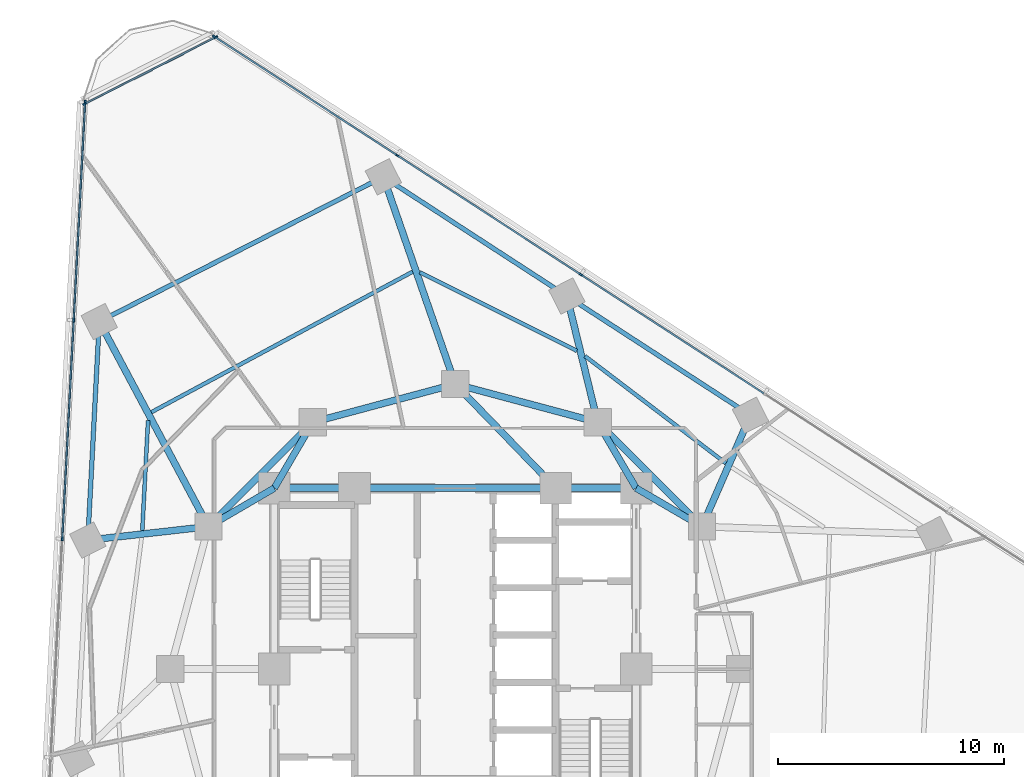
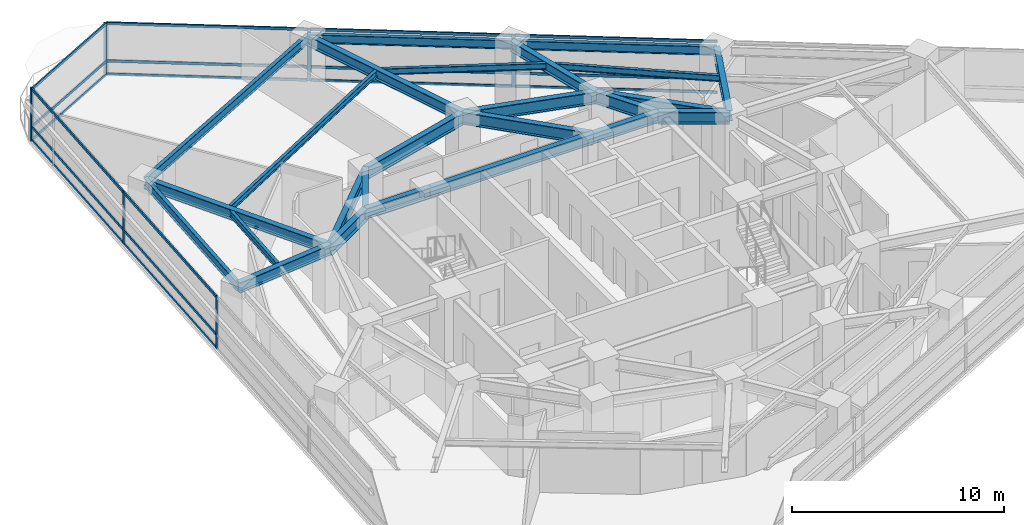
# One storey, part 5 of 14: 26 members, 25 beams, 3 elements without a shape of their own.
"""IFC4 building model written with IfcOpenShell, lengths in metres."""

from ifc_helpers import new_model, si_unit, direction, frame, origin, origin_2d, place, context, subcontext, project, spatial, rectangle, i_section, extrude, material, layer, layer_set, material_profile, profile_set, type_object, element, aggregate, save


model = new_model("IFC4")

# Units and contexts
model_context = context("Model", 3, precision=1e-05, world=origin(), true_north=direction((0.0, 1.0)))
body_context = subcontext(model_context, "Body", "Model", "MODEL_VIEW")
ifc_project = project(units=[si_unit("LENGTHUNIT", "METRE"), si_unit("AREAUNIT", "SQUARE_METRE"), si_unit("VOLUMEUNIT", "CUBIC_METRE"), si_unit("PLANEANGLEUNIT", "RADIAN"), si_unit("MASSUNIT", "GRAM", prefix="KILO")], contexts=[model_context])

# Site, building, storey
site_placement = place(None, origin())
site = spatial("IfcSite", under=ifc_project, at=site_placement, CompositionType="ELEMENT")
building_placement = place(site_placement, origin())
building = spatial("IfcBuilding", under=site, at=building_placement, Name="Terralouvre Media Tower", CompositionType="ELEMENT")
storey_placement = place(building_placement, frame((0.0, 0.0, 123.60009765625)))
storey = spatial("IfcBuildingStorey", under=building, at=storey_placement, Name="L31", CompositionType="ELEMENT", Elevation=123.60009765625)

# Beams
ifc_material_1 = material(Name="Structural steel S355J2", Category="steel")
ifc_material_profile_1 = material_profile(ifc_material_1, i_section(OverallWidth=0.169921875, OverallDepth=0.360107421875, WebThickness=0.008056640625, FlangeThickness=0.0126953125, at=origin_2d()), Name="IPE 360")
ifc_profile_set_1 = profile_set([ifc_material_profile_1], Name="Structural steel S355J2")
beam_type_1 = type_object("IfcBeamType", Name="Composite Floor Joist J-IPE360 (IPE 360)", PredefinedType="JOIST", material=ifc_profile_set_1)
beam_1_placement = place(storey_placement, frame((11.970703125, 9.098388671875, 3.31982421875), z_axis=(-0.795913950382, 0.605409765024, 0.0), x_axis=(-0.605409765024, -0.795913950382, 0.0)))
element("IfcBeam", 1, at=beam_1_placement, inside=storey, type_object=beam_type_1, Name="L31 Framing Beam JT-L31-08", PredefinedType="JOIST", context=body_context, shape_type="SweptSolid", body=[
    extrude(i_section(OverallWidth=0.169921875, OverallDepth=0.360107421875, WebThickness=0.008056640625, FlangeThickness=0.0126953125, at=origin_2d()), origin(), (0.0, 0.0, 1.0), 7.8291015625),
])
beam_2_placement = place(storey_placement, frame((5.37744140625, 14.068603515625, 3.31982421875), z_axis=(-0.893973577097, 0.448119675368, 0.0), x_axis=(-0.448119675368, -0.893973577097, 0.0)))
element("IfcBeam", 2, at=beam_2_placement, inside=storey, type_object=beam_type_1, Name="L31 Framing Beam JT-L31-09", PredefinedType="JOIST", context=body_context, shape_type="SweptSolid", body=[
    extrude(i_section(OverallWidth=0.169921875, OverallDepth=0.360107421875, WebThickness=0.008056640625, FlangeThickness=0.0126953125, at=origin_2d()), origin(), (0.0, 0.0, 1.0), 7.758056640625),
])
beam_3_placement = place(storey_placement, frame((-1.880615234375, 17.569580078125, 3.31982421875), z_axis=(-0.880744642144, -0.473591464592, 0.0), x_axis=(0.473591464592, -0.880744642144, 0.0)))
element("IfcBeam", 3, at=beam_3_placement, inside=storey, type_object=beam_type_1, Name="L31 Framing Beam JT-L31-10", PredefinedType="JOIST", context=body_context, shape_type="SweptSolid", body=[
    extrude(i_section(OverallWidth=0.169921875, OverallDepth=0.360107421875, WebThickness=0.008056640625, FlangeThickness=0.0126953125, at=origin_2d()), origin(), (0.0, 0.0, 1.0), 13.11865234375),
])
beam_4_placement = place(storey_placement, frame((-13.58203125, 10.9970703125, 3.31982421875), z_axis=(-0.052377831518, -0.998627339284, 0.0), x_axis=(0.998627339284, -0.052377831518, 0.0)))
element("IfcBeam", 4, at=beam_4_placement, inside=storey, type_object=beam_type_1, Name="L31 Framing Beam JT-L31-11", PredefinedType="JOIST", context=body_context, shape_type="SweptSolid", body=[
    extrude(i_section(OverallWidth=0.169921875, OverallDepth=0.360107421875, WebThickness=0.008056640625, FlangeThickness=0.0126953125, at=origin_2d()), origin(), (0.0, 0.0, 1.0), 4.884765625),
])

# Curtain wall, members
ifc_material_2 = material(Name="Low-iron laminated double glazing with solar-control coating", Category="glass")
ifc_layer_1 = layer(ifc_material_2, 0.1650390625, Name="Production Studio Tower Curtain Wall CW-03")
ifc_layer_set_1 = layer_set([ifc_layer_1], Name="Low-iron laminated double glazing with solar-control coating")
curtain_wall_type_1 = type_object("IfcCurtainWallType", Name="Production Studio Tower Curtain Wall CW-03", PredefinedType="NOTDEFINED", material=ifc_layer_set_1)
curtain_wall_1_placement = place(storey_placement, origin())
curtain_wall_1 = element("IfcCurtainWall", 5, at=curtain_wall_1_placement, inside=storey, type_object=curtain_wall_type_1, Name="L31 Facade Curtain Wall F1", PredefinedType="NOTDEFINED")
ifc_material_3 = material(Name="Anodised extruded aluminium 6063-T6", Category="aluminium")
ifc_material_profile_2 = material_profile(ifc_material_3, rectangle(XDim=0.074951171875, YDim=0.14990234375, at=origin_2d()), Name="ALU 75x150")
ifc_profile_set_2 = profile_set([ifc_material_profile_2], Name="Anodised extruded aluminium 6063-T6")
member_type_1 = type_object("IfcMemberType", Name="Curtain-Wall Horizontal Transom TR-150", PredefinedType="USERDEFINED", material=ifc_profile_set_2)
member_1_placement = place(storey_placement, frame((13.6416015625, 12.1884765625, 0.037353515625), z_axis=(-0.838672931076, 0.544635396095, 0.0), x_axis=(-0.544635396095, -0.838672931076, 0.0)))
member_1 = element("IfcMember", 6, at=member_1_placement, type_object=member_type_1, Name="CW-03 transom 3.1", ObjectType="TRANSOM", PredefinedType="USERDEFINED", context=body_context, shape_type="SweptSolid", body=[
    extrude(rectangle(XDim=0.074951171875, YDim=0.14990234375, at=origin_2d()), origin(), (0.0, 0.0, 1.0), 9.60498046875),
])
member_2_placement = place(storey_placement, frame((13.6416015625, 12.1884765625, 0.7998046875), z_axis=(-0.838672931076, 0.544635396095, 0.0), x_axis=(-0.544635396095, -0.838672931076, 0.0)))
member_2 = element("IfcMember", 7, at=member_2_placement, type_object=member_type_1, Name="CW-03 transom 3.2", ObjectType="TRANSOM", PredefinedType="USERDEFINED", context=body_context, shape_type="SweptSolid", body=[
    extrude(rectangle(XDim=0.074951171875, YDim=0.14990234375, at=origin_2d()), origin(), (0.0, 0.0, 1.0), 9.60498046875),
])
member_3_placement = place(storey_placement, frame((13.6416015625, 12.1884765625, 2.96240234375), z_axis=(-0.838672931076, 0.544635396095, 0.0), x_axis=(-0.544635396095, -0.838672931076, 0.0)))
member_3 = element("IfcMember", 8, at=member_3_placement, type_object=member_type_1, Name="CW-03 transom 3.3", ObjectType="TRANSOM", PredefinedType="USERDEFINED", context=body_context, shape_type="SweptSolid", body=[
    extrude(rectangle(XDim=0.074951171875, YDim=0.14990234375, at=origin_2d()), origin(), (0.0, 0.0, 1.0), 9.60498046875),
])
member_4_placement = place(storey_placement, frame((5.523193359375, 17.460693359375, 0.037353515625), z_axis=(-0.838672931076, 0.544635396095, 0.0), x_axis=(-0.544635396095, -0.838672931076, 0.0)))
member_4 = element("IfcMember", 9, at=member_4_placement, type_object=member_type_1, Name="CW-03 transom 4.1", ObjectType="TRANSOM", PredefinedType="USERDEFINED", context=body_context, shape_type="SweptSolid", body=[
    extrude(rectangle(XDim=0.074951171875, YDim=0.14990234375, at=origin_2d()), origin(), (0.0, 0.0, 1.0), 9.60498046875),
])
member_5_placement = place(storey_placement, frame((5.523193359375, 17.460693359375, 0.7998046875), z_axis=(-0.838672931076, 0.544635396095, 0.0), x_axis=(-0.544635396095, -0.838672931076, 0.0)))
member_5 = element("IfcMember", 10, at=member_5_placement, type_object=member_type_1, Name="CW-03 transom 4.2", ObjectType="TRANSOM", PredefinedType="USERDEFINED", context=body_context, shape_type="SweptSolid", body=[
    extrude(rectangle(XDim=0.074951171875, YDim=0.14990234375, at=origin_2d()), origin(), (0.0, 0.0, 1.0), 9.60498046875),
])
member_6_placement = place(storey_placement, frame((5.523193359375, 17.460693359375, 2.96240234375), z_axis=(-0.838672931076, 0.544635396095, 0.0), x_axis=(-0.544635396095, -0.838672931076, 0.0)))
member_6 = element("IfcMember", 11, at=member_6_placement, type_object=member_type_1, Name="CW-03 transom 4.3", ObjectType="TRANSOM", PredefinedType="USERDEFINED", context=body_context, shape_type="SweptSolid", body=[
    extrude(rectangle(XDim=0.074951171875, YDim=0.14990234375, at=origin_2d()), origin(), (0.0, 0.0, 1.0), 9.60498046875),
])
member_7_placement = place(storey_placement, frame((-2.594970703125, 22.732666015625, 0.037353515625), z_axis=(-0.838671492993, 0.544637610565, 0.0), x_axis=(-0.544637610565, -0.838671492993, 0.0)))
member_7 = element("IfcMember", 12, at=member_7_placement, type_object=member_type_1, Name="CW-03 transom 5.1", ObjectType="TRANSOM", PredefinedType="USERDEFINED", context=body_context, shape_type="SweptSolid", body=[
    extrude(rectangle(XDim=0.074951171875, YDim=0.14990234375, at=origin_2d()), origin(), (0.0, 0.0, 1.0), 9.567626953125),
])
member_8_placement = place(storey_placement, frame((-2.594970703125, 22.732666015625, 0.7998046875), z_axis=(-0.838671492993, 0.544637610565, 0.0), x_axis=(-0.544637610565, -0.838671492993, 0.0)))
member_8 = element("IfcMember", 13, at=member_8_placement, type_object=member_type_1, Name="CW-03 transom 5.2", ObjectType="TRANSOM", PredefinedType="USERDEFINED", context=body_context, shape_type="SweptSolid", body=[
    extrude(rectangle(XDim=0.074951171875, YDim=0.14990234375, at=origin_2d()), origin(), (0.0, 0.0, 1.0), 9.567626953125),
])
member_9_placement = place(storey_placement, frame((-2.594970703125, 22.732666015625, 2.96240234375), z_axis=(-0.838671492993, 0.544637610565, 0.0), x_axis=(-0.544637610565, -0.838671492993, 0.0)))
member_9 = element("IfcMember", 14, at=member_9_placement, type_object=member_type_1, Name="CW-03 transom 5.3", ObjectType="TRANSOM", PredefinedType="USERDEFINED", context=body_context, shape_type="SweptSolid", body=[
    extrude(rectangle(XDim=0.074951171875, YDim=0.14990234375, at=origin_2d()), origin(), (0.0, 0.0, 1.0), 9.567626953125),
])

curtain_wall_2_placement = place(storey_placement, origin())
curtain_wall_2 = element("IfcCurtainWall", 15, at=curtain_wall_2_placement, inside=storey, type_object=curtain_wall_type_1, Name="L31 Facade Curtain Wall F2", PredefinedType="NOTDEFINED")
member_10_placement = place(storey_placement, frame((-16.364990234375, 25.015869140625, 0.037353515625), z_axis=(-0.052336504837, -0.998629506004, 0.0), x_axis=(0.998629506004, -0.052336504837, 0.0)))
member_10 = element("IfcMember", 16, at=member_10_placement, type_object=member_type_1, Name="CW-03 transom 1.1", ObjectType="TRANSOM", PredefinedType="USERDEFINED", context=body_context, shape_type="SweptSolid", body=[
    extrude(rectangle(XDim=0.074951171875, YDim=0.14990234375, at=origin_2d()), origin(), (0.0, 0.0, 1.0), 9.567626953125),
])
member_11_placement = place(storey_placement, frame((-16.364990234375, 25.015869140625, 0.7998046875), z_axis=(-0.052336504837, -0.998629506004, 0.0), x_axis=(0.998629506004, -0.052336504837, 0.0)))
member_11 = element("IfcMember", 17, at=member_11_placement, type_object=member_type_1, Name="CW-03 transom 1.2", ObjectType="TRANSOM", PredefinedType="USERDEFINED", context=body_context, shape_type="SweptSolid", body=[
    extrude(rectangle(XDim=0.074951171875, YDim=0.14990234375, at=origin_2d()), origin(), (0.0, 0.0, 1.0), 9.567626953125),
])
member_12_placement = place(storey_placement, frame((-16.364990234375, 25.015869140625, 2.96240234375), z_axis=(-0.052336504837, -0.998629506004, 0.0), x_axis=(0.998629506004, -0.052336504837, 0.0)))
member_12 = element("IfcMember", 18, at=member_12_placement, type_object=member_type_1, Name="CW-03 transom 1.3", ObjectType="TRANSOM", PredefinedType="USERDEFINED", context=body_context, shape_type="SweptSolid", body=[
    extrude(rectangle(XDim=0.074951171875, YDim=0.14990234375, at=origin_2d()), origin(), (0.0, 0.0, 1.0), 9.567626953125),
])
member_13_placement = place(storey_placement, frame((-16.86962890625, 15.386474609375, 0.037353515625), z_axis=(-0.052336036535, -0.998629530547, 0.0), x_axis=(0.998629530547, -0.052336036535, 0.0)))
member_13 = element("IfcMember", 19, at=member_13_placement, type_object=member_type_1, Name="CW-03 transom 2.1", ObjectType="TRANSOM", PredefinedType="USERDEFINED", context=body_context, shape_type="SweptSolid", body=[
    extrude(rectangle(XDim=0.074951171875, YDim=0.14990234375, at=origin_2d()), origin(), (0.0, 0.0, 1.0), 9.60498046875),
])
member_14_placement = place(storey_placement, frame((-16.86962890625, 15.386474609375, 0.7998046875), z_axis=(-0.052336036535, -0.998629530547, 0.0), x_axis=(0.998629530547, -0.052336036535, 0.0)))
member_14 = element("IfcMember", 20, at=member_14_placement, type_object=member_type_1, Name="CW-03 transom 2.2", ObjectType="TRANSOM", PredefinedType="USERDEFINED", context=body_context, shape_type="SweptSolid", body=[
    extrude(rectangle(XDim=0.074951171875, YDim=0.14990234375, at=origin_2d()), origin(), (0.0, 0.0, 1.0), 9.60498046875),
])
member_15_placement = place(storey_placement, frame((-16.86962890625, 15.386474609375, 2.96240234375), z_axis=(-0.052336036535, -0.998629530547, 0.0), x_axis=(0.998629530547, -0.052336036535, 0.0)))
member_15 = element("IfcMember", 21, at=member_15_placement, type_object=member_type_1, Name="CW-03 transom 2.3", ObjectType="TRANSOM", PredefinedType="USERDEFINED", context=body_context, shape_type="SweptSolid", body=[
    extrude(rectangle(XDim=0.074951171875, YDim=0.14990234375, at=origin_2d()), origin(), (0.0, 0.0, 1.0), 9.60498046875),
])

ifc_material_4 = material(Name="Low-iron laminated double glazing with solar-control coating", Category="glass")
ifc_layer_2 = layer(ifc_material_4, 0.1650390625, Name="Rounded Wind-Corner Curved Glazing CW-04")
ifc_layer_set_2 = layer_set([ifc_layer_2], Name="Low-iron laminated double glazing with solar-control coating")
curtain_wall_type_2 = type_object("IfcCurtainWallType", Name="Rounded Wind-Corner Curved Glazing CW-04", PredefinedType="NOTDEFINED", material=ifc_layer_set_2)
curtain_wall_3_placement = place(storey_placement, origin())
curtain_wall_3 = element("IfcCurtainWall", 22, at=curtain_wall_3_placement, inside=storey, type_object=curtain_wall_type_2, Name="L31 Rounded Wind-Corner Curtain Wall C2", PredefinedType="NOTDEFINED")
member_16_placement = place(storey_placement, frame((-10.619873046875, 27.92626953125, 0.037353515625), z_axis=(-0.891007919555, -0.453987761167, 0.0), x_axis=(0.453987761167, -0.891007919555, 0.0)))
member_16 = element("IfcMember", 23, at=member_16_placement, type_object=member_type_1, Name="CW-04 transom 1.1", ObjectType="TRANSOM", PredefinedType="USERDEFINED", context=body_context, shape_type="SweptSolid", body=[
    extrude(rectangle(XDim=0.074951171875, YDim=0.14990234375, at=origin_2d()), origin(), (0.0, 0.0, 1.0), 6.431640625),
])
member_17_placement = place(storey_placement, frame((-10.619873046875, 27.92626953125, 0.7998046875), z_axis=(-0.891007919555, -0.453987761167, 0.0), x_axis=(0.453987761167, -0.891007919555, 0.0)))
member_17 = element("IfcMember", 24, at=member_17_placement, type_object=member_type_1, Name="CW-04 transom 1.2", ObjectType="TRANSOM", PredefinedType="USERDEFINED", context=body_context, shape_type="SweptSolid", body=[
    extrude(rectangle(XDim=0.074951171875, YDim=0.14990234375, at=origin_2d()), origin(), (0.0, 0.0, 1.0), 6.431640625),
])
member_18_placement = place(storey_placement, frame((-10.619873046875, 27.92626953125, 2.96240234375), z_axis=(-0.891007919555, -0.453987761167, 0.0), x_axis=(0.453987761167, -0.891007919555, 0.0)))
member_18 = element("IfcMember", 25, at=member_18_placement, type_object=member_type_1, Name="CW-04 transom 1.3", ObjectType="TRANSOM", PredefinedType="USERDEFINED", context=body_context, shape_type="SweptSolid", body=[
    extrude(rectangle(XDim=0.074951171875, YDim=0.14990234375, at=origin_2d()), origin(), (0.0, 0.0, 1.0), 6.431640625),
])

# Member
ifc_material_5 = material(Name="Anodised extruded aluminium 6063-T6", Category="aluminium")
ifc_material_profile_3 = material_profile(ifc_material_5, rectangle(XDim=0.074951171875, YDim=0.179931640625, at=origin_2d()), Name="ALU 75x180")
ifc_profile_set_3 = profile_set([ifc_material_profile_3], Name="Anodised extruded aluminium 6063-T6")
member_type_2 = type_object("IfcMemberType", Name="Curtain-Wall Vertical Mullion ML-180", PredefinedType="MULLION", material=ifc_profile_set_3)
member_19_placement = place(storey_placement, frame((5.5546875, 17.440185546875, 0.0), z_axis=(0.0, 0.0, 1.0), x_axis=(-0.544639002681, -0.838670588944, 0.0)))
member_19 = element("IfcMember", 26, at=member_19_placement, type_object=member_type_2, Name="CW-03 mullion 4", PredefinedType="MULLION", context=body_context, shape_type="SweptSolid", body=[
    extrude(rectangle(XDim=0.074951171875, YDim=0.179931640625, at=origin_2d()), origin(), (0.0, 0.0, 1.0), 3.0),
])

member_20_placement = place(storey_placement, frame((-2.5634765625, 22.712158203125, 0.0), z_axis=(0.0, 0.0, 1.0), x_axis=(-0.544639002681, -0.838670588944, 0.0)))
member_20 = element("IfcMember", 27, at=member_20_placement, type_object=member_type_2, Name="CW-03 mullion 5", PredefinedType="MULLION", context=body_context, shape_type="SweptSolid", body=[
    extrude(rectangle(XDim=0.074951171875, YDim=0.179931640625, at=origin_2d()), origin(), (0.0, 0.0, 1.0), 3.0),
])

member_21_placement = place(storey_placement, frame((-10.650390625, 27.9638671875, 0.0), z_axis=(0.0, 0.0, 1.0), x_axis=(-0.544639002681, -0.838670588944, 0.0)))
member_21 = element("IfcMember", 28, at=member_21_placement, type_object=member_type_2, Name="CW-03 mullion 6", PredefinedType="MULLION", context=body_context, shape_type="SweptSolid", body=[
    extrude(rectangle(XDim=0.074951171875, YDim=0.179931640625, at=origin_2d()), origin(), (0.0, 0.0, 1.0), 3.0),
])

aggregate(curtain_wall_1, [member_19, member_20, member_21, member_1, member_2, member_3, member_4, member_5, member_6, member_7, member_8, member_9])

member_22_placement = place(storey_placement, frame((-16.363037109375, 25.05322265625, 0.0), z_axis=(0.0, 0.0, 1.0), x_axis=(0.998629535089, -0.052335949864, 0.0)))
member_22 = element("IfcMember", 29, at=member_22_placement, type_object=member_type_2, Name="CW-03 mullion 1", PredefinedType="MULLION", context=body_context, shape_type="SweptSolid", body=[
    extrude(rectangle(XDim=0.074951171875, YDim=0.179931640625, at=origin_2d()), origin(), (0.0, 0.0, 1.0), 3.0),
])

member_23_placement = place(storey_placement, frame((-16.86767578125, 15.423828125, 0.0), z_axis=(0.0, 0.0, 1.0), x_axis=(0.998629535089, -0.052335949864, 0.0)))
member_23 = element("IfcMember", 30, at=member_23_placement, type_object=member_type_2, Name="CW-03 mullion 2", PredefinedType="MULLION", context=body_context, shape_type="SweptSolid", body=[
    extrude(rectangle(XDim=0.074951171875, YDim=0.179931640625, at=origin_2d()), origin(), (0.0, 0.0, 1.0), 3.0),
])

member_24_placement = place(storey_placement, frame((-17.374267578125, 5.757080078125, 0.0), z_axis=(0.0, 0.0, 1.0), x_axis=(0.998629535089, -0.052335949864, 0.0)))
member_24 = element("IfcMember", 31, at=member_24_placement, type_object=member_type_2, Name="CW-03 mullion 3", PredefinedType="MULLION", context=body_context, shape_type="SweptSolid", body=[
    extrude(rectangle(XDim=0.074951171875, YDim=0.179931640625, at=origin_2d()), origin(), (0.0, 0.0, 1.0), 3.0),
])

aggregate(curtain_wall_2, [member_22, member_23, member_24, member_10, member_11, member_12, member_13, member_14, member_15])

member_25_placement = place(storey_placement, frame((-10.58642578125, 27.943359375, 0.0), z_axis=(0.0, 0.0, 1.0), x_axis=(0.45399035059, -0.891006600184, 0.0)))
member_25 = element("IfcMember", 32, at=member_25_placement, type_object=member_type_2, Name="CW-04 mullion 1", PredefinedType="MULLION", context=body_context, shape_type="SweptSolid", body=[
    extrude(rectangle(XDim=0.074951171875, YDim=0.179931640625, at=origin_2d()), origin(), (0.0, 0.0, 1.0), 3.0),
])

member_26_placement = place(storey_placement, frame((-16.384033203125, 24.9892578125, 0.0), z_axis=(0.0, 0.0, 1.0), x_axis=(0.45399035059, -0.891006600184, 0.0)))
member_26 = element("IfcMember", 33, at=member_26_placement, type_object=member_type_2, Name="CW-04 mullion 2", PredefinedType="MULLION", context=body_context, shape_type="SweptSolid", body=[
    extrude(rectangle(XDim=0.074951171875, YDim=0.179931640625, at=origin_2d()), origin(), (0.0, 0.0, 1.0), 3.0),
])

aggregate(curtain_wall_3, [member_25, member_26, member_16, member_17, member_18])

# Beams
ifc_material_6 = material(Name="Structural steel S355J2", Category="steel")
ifc_material_profile_4 = material_profile(ifc_material_6, i_section(OverallWidth=0.199951171875, OverallDepth=0.5, WebThickness=0.01025390625, FlangeThickness=0.01611328125, at=origin_2d()), Name="IPE 500")
ifc_profile_set_4 = profile_set([ifc_material_profile_4], Name="Structural steel S355J2")
beam_type_2 = type_object("IfcBeamType", Name="Perimeter Spandrel Beam SPB-500 (IPE 500)", PredefinedType="SPANDREL", material=ifc_profile_set_4)
for number, where, z_axis, x_axis, name in (
    (34, (13.0576171875, 11.220458984375, 3.25), (-0.838679216118, 0.544625717765, 0.0), (-0.544625717765, -0.838679216118, 0.0), "L31 Framing Beam BM-L31-PR08"),
    (35, (4.939208984375, 16.492431640625, 3.25), (-0.838660214263, 0.544654977956, 0.0), (-0.544654977956, -0.838660214263, 0.0), "L31 Framing Beam BM-L31-PR09"),
):
    element("IfcBeam", number, at=place(storey_placement, frame(where, z_axis=z_axis, x_axis=x_axis)), inside=storey, type_object=beam_type_2, Name=name, PredefinedType="SPANDREL", context=body_context, shape_type="SweptSolid", body=[
        extrude(i_section(OverallWidth=0.199951171875, OverallDepth=0.5, WebThickness=0.01025390625, FlangeThickness=0.01611328125, at=origin_2d()), origin(), (0.0, 0.0, 1.0), 9.679931640625),
    ])
beam_5_placement = place(storey_placement, frame((-3.178955078125, 21.7646484375, 3.25), z_axis=(-0.891003412269, -0.453996607173, 0.0), x_axis=(0.453996607173, -0.891003412269, 0.0)))
element("IfcBeam", 36, at=beam_5_placement, inside=storey, type_object=beam_type_2, Name="L31 Framing Beam BM-L31-PR10", PredefinedType="SPANDREL", context=body_context, shape_type="SweptSolid", body=[
    extrude(i_section(OverallWidth=0.199951171875, OverallDepth=0.5, WebThickness=0.01025390625, FlangeThickness=0.01611328125, at=origin_2d()), origin(), (0.0, 0.0, 1.0), 14.096923828125),
])
beam_6_placement = place(storey_placement, frame((-15.7392578125, 15.36474609375, 3.25), z_axis=(-0.052333792648, -0.998629648141, 0.0), x_axis=(0.998629648141, -0.052333792648, 0.0)))
element("IfcBeam", 37, at=beam_6_placement, inside=storey, type_object=beam_type_2, Name="L31 Framing Beam BM-L31-PR11", PredefinedType="SPANDREL", context=body_context, shape_type="SweptSolid", body=[
    extrude(i_section(OverallWidth=0.199951171875, OverallDepth=0.5, WebThickness=0.01025390625, FlangeThickness=0.01611328125, at=origin_2d()), origin(), (0.0, 0.0, 1.0), 9.679931640625),
])
ifc_material_7 = material(Name="Structural steel S460M", Category="steel")
ifc_material_profile_5 = material_profile(ifc_material_7, i_section(OverallWidth=0.300048828125, OverallDepth=0.60009765625, WebThickness=0.015380859375, FlangeThickness=0.030029296875, at=origin_2d()), Name="HEB 600")
ifc_profile_set_5 = profile_set([ifc_material_profile_5], Name="Structural steel S460M")
beam_type_3 = type_object("IfcBeamType", Name="Primary Floor Girder B-HEB600 (HEB 600)", PredefinedType="BEAM", material=ifc_profile_set_5)
beam_7_placement = place(storey_placement, frame((8.0, 8.0, 3.199951171875), z_axis=(-1.0, 0.0, 0.0), x_axis=(0.0, -1.0, 0.0)))
element("IfcBeam", 38, at=beam_7_placement, inside=storey, type_object=beam_type_3, Name="L31 Framing Beam BM-L31-CPR06", PredefinedType="BEAM", context=body_context, shape_type="SweptSolid", body=[
    extrude(i_section(OverallWidth=0.300048828125, OverallDepth=0.60009765625, WebThickness=0.015380859375, FlangeThickness=0.030029296875, at=origin_2d()), origin(), (0.0, 0.0, 1.0), 3.550048828125),
])
beam_8_placement = place(storey_placement, frame((4.449951171875, 8.0, 3.199951171875), z_axis=(-1.0, 0.0, 0.0), x_axis=(0.0, -1.0, 0.0)))
element("IfcBeam", 39, at=beam_8_placement, inside=storey, type_object=beam_type_3, Name="L31 Framing Beam BM-L31-CPR07", PredefinedType="BEAM", context=body_context, shape_type="SweptSolid", body=[
    extrude(i_section(OverallWidth=0.300048828125, OverallDepth=0.60009765625, WebThickness=0.015380859375, FlangeThickness=0.030029296875, at=origin_2d()), origin(), (0.0, 0.0, 1.0), 8.89990234375),
])
beam_9_placement = place(storey_placement, frame((-4.449951171875, 8.0, 3.199951171875), z_axis=(-1.0, 0.0, 0.0), x_axis=(0.0, -1.0, 0.0)))
element("IfcBeam", 40, at=beam_9_placement, inside=storey, type_object=beam_type_3, Name="L31 Framing Beam BM-L31-CPR08", PredefinedType="BEAM", context=body_context, shape_type="SweptSolid", body=[
    extrude(i_section(OverallWidth=0.300048828125, OverallDepth=0.60009765625, WebThickness=0.015380859375, FlangeThickness=0.030029296875, at=origin_2d()), origin(), (0.0, 0.0, 1.0), 3.550048828125),
])
beam_10_placement = place(storey_placement, frame((10.911865234375, 6.300048828125, 3.199951171875), z_axis=(0.39973535277, 0.916630595031, 0.0), x_axis=(-0.916630595031, 0.39973535277, 0.0)))
element("IfcBeam", 41, at=beam_10_placement, inside=storey, type_object=beam_type_3, Name="L31 Framing Beam BM-L31-RD08", PredefinedType="BEAM", context=body_context, shape_type="SweptSolid", body=[
    extrude(i_section(OverallWidth=0.300048828125, OverallDepth=0.60009765625, WebThickness=0.015380859375, FlangeThickness=0.030029296875, at=origin_2d()), origin(), (0.0, 0.0, 1.0), 5.367919921875),
])
beam_11_placement = place(storey_placement, frame((6.300048828125, 10.911865234375, 3.199951171875), z_axis=(-0.23691117125, 0.971531315469, 0.0), x_axis=(-0.971531315469, -0.23691117125, 0.0)))
element("IfcBeam", 42, at=beam_11_placement, inside=storey, type_object=beam_type_3, Name="L31 Framing Beam BM-L31-RD09", PredefinedType="BEAM", context=body_context, shape_type="SweptSolid", body=[
    extrude(i_section(OverallWidth=0.300048828125, OverallDepth=0.60009765625, WebThickness=0.015380859375, FlangeThickness=0.030029296875, at=origin_2d()), origin(), (0.0, 0.0, 1.0), 5.744140625),
])
beam_12_placement = place(storey_placement, frame((0.0, 12.60009765625, 3.199951171875), z_axis=(-0.327719061781, 0.944775220116, 0.0), x_axis=(-0.944775220116, -0.327719061781, 0.0)))
element("IfcBeam", 43, at=beam_12_placement, inside=storey, type_object=beam_type_3, Name="L31 Framing Beam BM-L31-RD10", PredefinedType="BEAM", context=body_context, shape_type="SweptSolid", body=[
    extrude(i_section(OverallWidth=0.300048828125, OverallDepth=0.60009765625, WebThickness=0.015380859375, FlangeThickness=0.030029296875, at=origin_2d()), origin(), (0.0, 0.0, 1.0), 9.7001953125),
])
beam_13_placement = place(storey_placement, frame((-10.911865234375, 6.300048828125, 3.199951171875), z_axis=(-0.470048953024, 0.882640346778, 0.0), x_axis=(-0.882640346778, -0.470048953024, 0.0)))
element("IfcBeam", 44, at=beam_13_placement, inside=storey, type_object=beam_type_3, Name="L31 Framing Beam BM-L31-RD11", PredefinedType="BEAM", context=body_context, shape_type="SweptSolid", body=[
    extrude(i_section(OverallWidth=0.300048828125, OverallDepth=0.60009765625, WebThickness=0.015380859375, FlangeThickness=0.030029296875, at=origin_2d()), origin(), (0.0, 0.0, 1.0), 10.27001953125),
])
beam_14_placement = place(storey_placement, frame((-10.911865234375, 6.300048828125, 3.199951171875), z_axis=(-0.993690322099, -0.112158565283, 0.0), x_axis=(0.112158565283, -0.993690322099, 0.0)))
element("IfcBeam", 45, at=beam_14_placement, inside=storey, type_object=beam_type_3, Name="L31 Framing Beam BM-L31-RD12", PredefinedType="BEAM", context=body_context, shape_type="SweptSolid", body=[
    extrude(i_section(OverallWidth=0.300048828125, OverallDepth=0.60009765625, WebThickness=0.015380859375, FlangeThickness=0.030029296875, at=origin_2d()), origin(), (0.0, 0.0, 1.0), 5.367919921875),
])
ifc_material_8 = material(Name="Structural steel S460M", Category="steel")
ifc_material_profile_6 = material_profile(ifc_material_8, i_section(OverallWidth=0.300048828125, OverallDepth=0.699951171875, WebThickness=0.01708984375, FlangeThickness=0.031982421875, at=origin_2d()), Name="HEB 700")
ifc_profile_set_6 = profile_set([ifc_material_profile_6], Name="Structural steel S460M")
beam_type_4 = type_object("IfcBeamType", Name="Primary Floor Girder B-HEB700 (HEB 700)", PredefinedType="BEAM", material=ifc_profile_set_6)
beam_15_placement = place(storey_placement, frame((10.911865234375, 6.300048828125, 3.14990234375), z_axis=(-0.707106781187, 0.707106781187, 0.0), x_axis=(-0.707106781187, -0.707106781187, 0.0)))
element("IfcBeam", 46, at=beam_15_placement, inside=storey, type_object=beam_type_4, Name="L31 Framing Beam BM-L31-MR07", PredefinedType="BEAM", context=body_context, shape_type="SweptSolid", body=[
    extrude(i_section(OverallWidth=0.300048828125, OverallDepth=0.699951171875, WebThickness=0.01708984375, FlangeThickness=0.031982421875, at=origin_2d()), origin(), (0.0, 0.0, 1.0), 6.52197265625),
])
for number, where, z_axis, x_axis, name in (
    (47, (6.300048828125, 10.911865234375, 3.14990234375), (-0.965920481897, 0.258838989821, 0.0), (-0.258838989821, -0.965920481897, 0.0), "L31 Framing Beam BM-L31-MR08"),
    (48, (0.0, 12.60009765625, 3.14990234375), (-0.965920481897, -0.258838989821, 0.0), (0.258838989821, -0.965920481897, 0.0), "L31 Framing Beam BM-L31-MR09"),
):
    element("IfcBeam", number, at=place(storey_placement, frame(where, z_axis=z_axis, x_axis=x_axis)), inside=storey, type_object=beam_type_4, Name=name, PredefinedType="BEAM", context=body_context, shape_type="SweptSolid", body=[
        extrude(i_section(OverallWidth=0.300048828125, OverallDepth=0.699951171875, WebThickness=0.01708984375, FlangeThickness=0.031982421875, at=origin_2d()), origin(), (0.0, 0.0, 1.0), 6.522216796875),
    ])
beam_16_placement = place(storey_placement, frame((-6.300048828125, 10.911865234375, 3.14990234375), z_axis=(-0.707106781187, -0.707106781187, 0.0), x_axis=(0.707106781187, -0.707106781187, 0.0)))
element("IfcBeam", 49, at=beam_16_placement, inside=storey, type_object=beam_type_4, Name="L31 Framing Beam BM-L31-MR10", PredefinedType="BEAM", context=body_context, shape_type="SweptSolid", body=[
    extrude(i_section(OverallWidth=0.300048828125, OverallDepth=0.699951171875, WebThickness=0.01708984375, FlangeThickness=0.031982421875, at=origin_2d()), origin(), (0.0, 0.0, 1.0), 6.52197265625),
])
for number, where, z_axis, x_axis, name in (
    (50, (8.0, 8.0, 3.14990234375), (0.863602894532, -0.504172629717, 0.0), (0.504172629717, 0.863602894532, 0.0), "L31 Framing Beam BM-L31-CM07"),
    (51, (8.0, 8.0, 3.14990234375), (-0.504172629717, 0.863602894532, 0.0), (-0.863602894532, -0.504172629717, 0.0), "L31 Framing Beam BM-L31-CM08"),
):
    element("IfcBeam", number, at=place(storey_placement, frame(where, z_axis=z_axis, x_axis=x_axis)), inside=storey, type_object=beam_type_4, Name=name, PredefinedType="BEAM", context=body_context, shape_type="SweptSolid", body=[
        extrude(i_section(OverallWidth=0.300048828125, OverallDepth=0.699951171875, WebThickness=0.01708984375, FlangeThickness=0.031982421875, at=origin_2d()), origin(), (0.0, 0.0, 1.0), 3.371826171875),
    ])
beam_17_placement = place(storey_placement, frame((4.449951171875, 8.0, 3.14990234375), z_axis=(-0.695279715726, 0.718739255155, 0.0), x_axis=(-0.718739255155, -0.695279715726, 0.0)))
element("IfcBeam", 52, at=beam_17_placement, inside=storey, type_object=beam_type_4, Name="L31 Framing Beam BM-L31-CM09", PredefinedType="BEAM", context=body_context, shape_type="SweptSolid", body=[
    extrude(i_section(OverallWidth=0.300048828125, OverallDepth=0.699951171875, WebThickness=0.01708984375, FlangeThickness=0.031982421875, at=origin_2d()), origin(), (0.0, 0.0, 1.0), 6.400146484375),
])
for number, where, z_axis, x_axis, name in (
    (53, (-8.0, 8.0, 3.14990234375), (0.504172629717, 0.863602894532, 0.0), (-0.863602894532, 0.504172629717, 0.0), "L31 Framing Beam BM-L31-CM10"),
    (54, (-8.0, 8.0, 3.14990234375), (-0.863602894532, -0.504172629717, 0.0), (0.504172629717, -0.863602894532, 0.0), "L31 Framing Beam BM-L31-CM11"),
):
    element("IfcBeam", number, at=place(storey_placement, frame(where, z_axis=z_axis, x_axis=x_axis)), inside=storey, type_object=beam_type_4, Name=name, PredefinedType="BEAM", context=body_context, shape_type="SweptSolid", body=[
        extrude(i_section(OverallWidth=0.300048828125, OverallDepth=0.699951171875, WebThickness=0.01708984375, FlangeThickness=0.031982421875, at=origin_2d()), origin(), (0.0, 0.0, 1.0), 3.371826171875),
    ])

save(model, "model.ifc")
